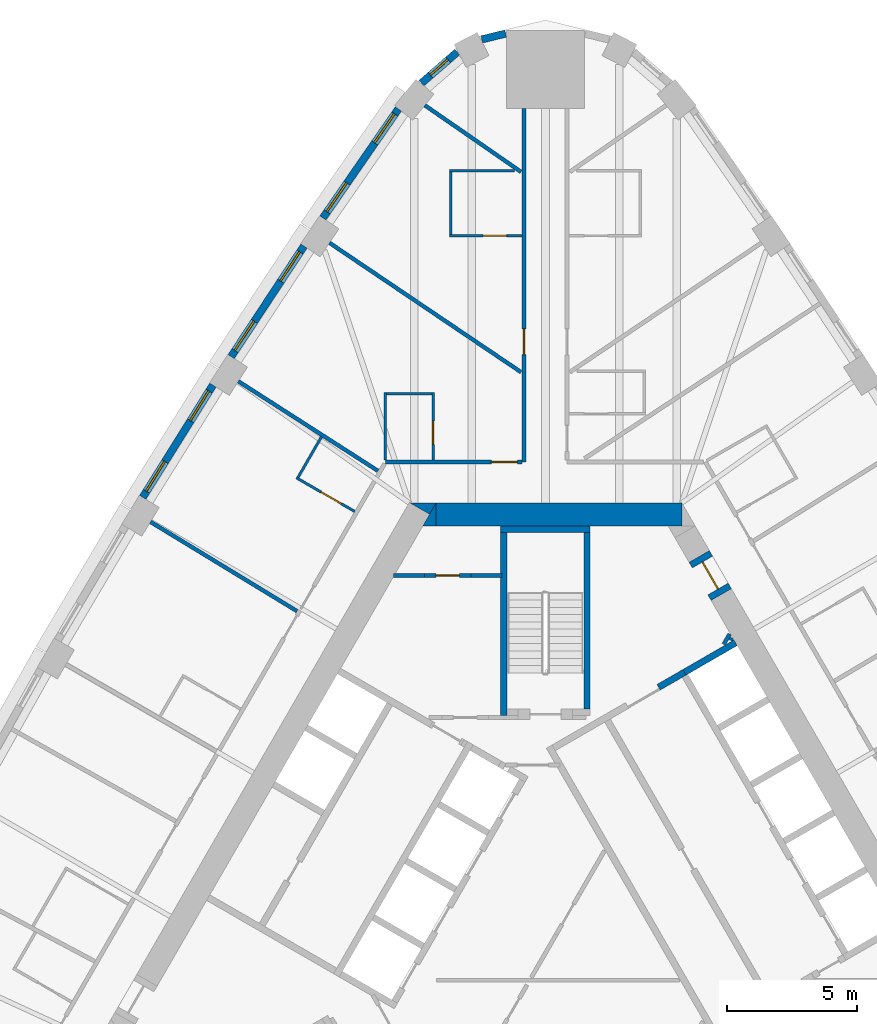
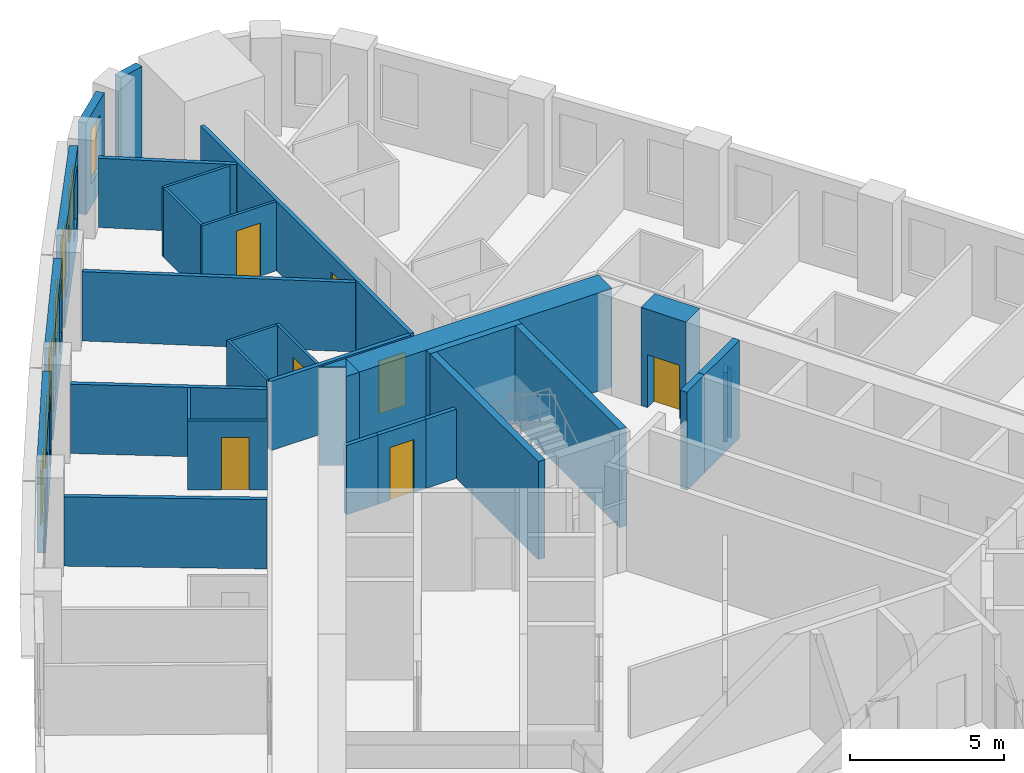
# One storey, part 10 of 13: 33 walls, 7 doors, 7 windows, 14 openings.
"""IFC4 building model written with IfcOpenShell, lengths in metres."""

from ifc_helpers import new_model, si_unit, direction, frame, frame_2d, origin, place, context, subcontext, project, spatial, polyline, rectangle, outline, extrude, material, layer, layer_set, type_object, element, fill, save


model = new_model("IFC4")

# Units and contexts
model_context = context("Model", 3, precision=1e-05, world=origin(), true_north=direction((0.0, 1.0)))
body_context = subcontext(model_context, "Body", "Model", "MODEL_VIEW")
ifc_project = project(units=[si_unit("LENGTHUNIT", "METRE"), si_unit("AREAUNIT", "SQUARE_METRE"), si_unit("VOLUMEUNIT", "CUBIC_METRE"), si_unit("PLANEANGLEUNIT", "RADIAN"), si_unit("MASSUNIT", "GRAM", prefix="KILO")], contexts=[model_context])

# Site, building, storey
site_placement = place(None, origin())
site = spatial("IfcSite", under=ifc_project, at=site_placement, CompositionType="ELEMENT")
building_placement = place(site_placement, origin())
building = spatial("IfcBuilding", under=site, at=building_placement, Name="Mestral Congress Tower", CompositionType="ELEMENT")
storey_placement = place(building_placement, frame((0.0, 0.0, 91.5)))
storey = spatial("IfcBuildingStorey", under=building, at=storey_placement, Name="L21", CompositionType="ELEMENT", Elevation=91.5)

# Walls
ifc_material_1 = material(Name="Fire-rated board partition")
ifc_layer_1 = layer(ifc_material_1, 0.14990234375)
ifc_layer_set_1 = layer_set([ifc_layer_1], Name="Fire-rated board partition")
wall_type_1 = type_object("IfcWallType", Name="Core partition 150", PredefinedType="PARTITIONING", material=ifc_layer_set_1)
wall_1_placement = place(storey_placement, frame((-5.85107421875, 14.10205078125, 0.0), z_axis=(0.0, 0.0, 1.0), x_axis=(1.0, 0.0, 0.0)))
element("IfcWall", 1, at=wall_1_placement, inside=storey, type_object=wall_type_1, Name="L21 core wall", PredefinedType="PARTITIONING", context=body_context, shape_type="SweptSolid", body=[
    extrude(rectangle(XDim=1.18017578125, YDim=0.14990234375, at=frame_2d((0.590087890625, 0.0))), origin(), (0.0, 0.0, 1.0), 2.75),
])
wall_2_placement = place(storey_placement, frame((-2.87060546875, 14.10205078125, 0.0), z_axis=(0.0, 0.0, 1.0), x_axis=(1.0, 0.0, 0.0)))
element("IfcWall", 2, at=wall_2_placement, inside=storey, type_object=wall_type_1, Name="L21 core wall", PredefinedType="PARTITIONING", context=body_context, shape_type="SweptSolid", body=[
    extrude(rectangle(XDim=1.195556640625, YDim=0.14990234375, at=frame_2d((0.59765625, 0.0))), origin(), (0.0, 0.0, 1.0), 2.75),
])
wall_3_placement = place(storey_placement, frame((6.87158203125, 11.44970703125, 0.0), z_axis=(0.0, 0.0, 1.0), x_axis=(0.499846793097, 0.866113839764, 0.0)))
element("IfcWall", 3, at=wall_3_placement, inside=storey, type_object=wall_type_1, Name="L21 core wall", PredefinedType="PARTITIONING", context=body_context, shape_type="SweptSolid", body=[
    extrude(rectangle(XDim=0.453369140625, YDim=0.14990234375, at=frame_2d((0.2265625, 0.0))), origin(), (0.0, 0.0, 1.0), 2.75),
])
wall_4_placement = place(storey_placement, frame((7.13134765625, 11.599609375, 0.0), z_axis=(0.0, 0.0, 1.0), x_axis=(0.498600033135, 0.866832167699, 0.0)))
element("IfcWall", 4, at=wall_4_placement, inside=storey, type_object=wall_type_1, Name="L21 core wall", PredefinedType="PARTITIONING", context=body_context, shape_type="SweptSolid", body=[
    extrude(rectangle(XDim=0.106689453125, YDim=0.14990234375, at=frame_2d((0.05322265625, 0.0))), origin(), (0.0, 0.0, 1.0), 2.75),
])

# Wall, opening, door
wall_5_placement = place(storey_placement, frame((-2.870849609375, 14.10205078125, 0.0), z_axis=(0.0, 0.0, 1.0), x_axis=(-1.0, 0.0, 0.0)))
wall_5 = element("IfcWall", 5, at=wall_5_placement, inside=storey, type_object=wall_type_1, Name="L21 door wall", PredefinedType="PARTITIONING", context=body_context, shape_type="SweptSolid", body=[
    extrude(rectangle(XDim=1.800048828125, YDim=0.14990234375, at=frame_2d((0.89990234375, 0.0))), origin(), (0.0, 0.0, 1.0), 2.75),
])
opening_1_placement = place(wall_5_placement, frame((0.449951171875, 0.0, 0.0)))
opening_1 = element("IfcOpeningElement", 6, at=opening_1_placement, cuts=wall_5, Name="Opening SD-WS2", PredefinedType="OPENING", context=body_context, shape_type="SweptSolid", body=[
    extrude(rectangle(XDim=0.89990234375, YDim=2.10009765625, at=frame_2d((0.449951171875, 1.050048828125))), frame((0.0, 0.0849609375, 0.0), z_axis=(0.0, -1.0, 0.0), x_axis=(1.0, 0.0, 0.0)), (0.0, 0.0, 1.0), 0.169921875),
])
ifc_material_2 = material(Name="Fire-rated steel door set", Category="steel")
door_type_1 = type_object("IfcDoorType", Name="Core door SR 900x2100", OperationType="SINGLE_SWING_LEFT", PredefinedType="DOOR", material=ifc_material_2)
door_1_placement = place(opening_1_placement, origin())
door_1 = element("IfcDoor", 7, at=door_1_placement, inside=storey, type_object=door_type_1, Name="Door SD-WS2", OperationType="SINGLE_SWING_LEFT", OverallHeight=2.10009765625, OverallWidth=0.89990234375, PredefinedType="DOOR", context=body_context, shape_type="SweptSolid", body=[
    extrude(rectangle(XDim=0.89990234375, YDim=2.10009765625, at=frame_2d((0.449951171875, 1.050048828125))), frame((0.0, 0.02490234375, 0.0), z_axis=(0.0, -1.0, 0.0), x_axis=(1.0, 0.0, 0.0)), (0.0, 0.0, 1.0), 0.050048828125),
])
fill(opening_1, door_1)

# Walls
ifc_material_3 = material(Name="Concrete C60/75", Category="concrete")
ifc_layer_2 = layer(ifc_material_3, 0.89990234375)
ifc_layer_set_2 = layer_set([ifc_layer_2], Name="Concrete C60/75")
wall_type_2 = type_object("IfcWallType", Name="Core wall RC 900", PredefinedType="SOLIDWALL", material=ifc_layer_set_2)
placement = place(storey_placement, origin())
element("IfcWall", 8, at=placement, inside=storey, type_object=wall_type_2, Name="L21 core wall", PredefinedType="SOLIDWALL", context=body_context, shape_type="SweptSolid", body=[
    extrude(outline(polyline([(-4.214599609375, 16.89990234375), (-4.46875, 16.460205078125), (-5.230712890625, 16.89990234375), (-4.214599609375, 16.89990234375)])), origin(), (0.0, 0.0, 1.0), 3.89990234375),
])
wall_7_placement = place(storey_placement, frame((-4.224365234375, 16.449951171875, 0.0), z_axis=(0.0, 0.0, 1.0), x_axis=(1.0, 0.0, 0.0)))
element("IfcWall", 9, at=wall_7_placement, inside=storey, type_object=wall_type_2, Name="L21 core wall", PredefinedType="SOLIDWALL", context=body_context, shape_type="SweptSolid", body=[
    extrude(rectangle(XDim=9.48779296875, YDim=0.89990234375, at=frame_2d((4.743896484375, 0.0))), origin(), (0.0, 0.0, 1.0), 3.89990234375),
])
element("IfcWall", 10, at=placement, inside=storey, type_object=wall_type_2, Name="L21 core wall", PredefinedType="SOLIDWALL", context=body_context, shape_type="SweptSolid", body=[
    extrude(outline(polyline([(-4.734375, 16.0), (-4.226318359375, 16.8798828125), (-4.226318359375, 16.0), (-4.734375, 16.0)])), origin(), (0.0, 0.0, 1.0), 3.89990234375),
])

# Wall, opening, door
wall_9_placement = place(storey_placement, frame((5.92578125, 14.836181640625, 0.0), z_axis=(0.0, 0.0, 1.0), x_axis=(0.500062241894, -0.865989465428, 0.0)))
wall_9 = element("IfcWall", 11, at=wall_9_placement, inside=storey, type_object=wall_type_2, Name="L21 door wall", PredefinedType="SOLIDWALL", context=body_context, shape_type="SweptSolid", body=[
    extrude(rectangle(XDim=1.699951171875, YDim=0.89990234375, at=frame_2d((0.85009765625, 0.0))), origin(), (0.0, 0.0, 1.0), 3.89990234375),
])
opening_2_placement = place(wall_9_placement, frame((0.25, 0.0, 0.0)))
opening_2 = element("IfcOpeningElement", 12, at=opening_2_placement, cuts=wall_9, Name="Opening XD2", PredefinedType="OPENING", context=body_context, shape_type="SweptSolid", body=[
    extrude(rectangle(XDim=1.199951171875, YDim=2.10009765625, at=frame_2d((0.60009765625, 1.050048828125))), frame((0.0, 0.4599609375, 0.0), z_axis=(0.0, -1.0, 0.0), x_axis=(1.0, 0.0, 0.0)), (0.0, 0.0, 1.0), 0.919921875),
])
door_type_2 = type_object("IfcDoorType", Name="Core door XD 1200x2100", OperationType="SINGLE_SWING_LEFT", PredefinedType="DOOR", material=ifc_material_2)
door_2_placement = place(opening_2_placement, origin())
door_2 = element("IfcDoor", 13, at=door_2_placement, inside=storey, type_object=door_type_2, Name="Door XD2", OperationType="SINGLE_SWING_LEFT", OverallHeight=2.10009765625, OverallWidth=1.199951171875, PredefinedType="DOOR", context=body_context, shape_type="SweptSolid", body=[
    extrude(rectangle(XDim=1.199951171875, YDim=2.10009765625, at=frame_2d((0.60009765625, 1.050048828125))), frame((0.0, 0.02490234375, 0.0), z_axis=(0.0, -1.0, 0.0), x_axis=(1.0, 0.0, 0.0)), (0.0, 0.0, 1.0), 0.050048828125),
])
fill(opening_2, door_2)

# Wall
ifc_material_4 = material(Name="Precast concrete C40/50 with limestone facing", Category="masonry")
ifc_layer_3 = layer(ifc_material_4, 0.2900390625)
ifc_layer_set_3 = layer_set([ifc_layer_3], Name="Precast concrete C40/50 with limestone facing")
wall_type_3 = type_object("IfcWallType", Name="Facade stone wall 290", PredefinedType="SOLIDWALL", material=ifc_layer_set_3)
wall_10_placement = place(storey_placement, frame((-1.53515625, 34.9892578125, 0.0), z_axis=(0.0, 0.0, 1.0), x_axis=(-0.971713991574, -0.236160789674, 0.0)))
element("IfcWall", 14, at=wall_10_placement, inside=storey, type_object=wall_type_3, Name="Facade wall K1-2", PredefinedType="SOLIDWALL", context=body_context, shape_type="SweptSolid", body=[
    extrude(rectangle(XDim=0.947021484375, YDim=0.2900390625, at=frame_2d((0.4736328125, 0.0))), origin(), (0.0, 0.0, 1.0), 3.64990234375),
])

# Wall, opening, window
wall_11_placement = place(storey_placement, frame((-3.404541015625, 34.275390625, 0.0), z_axis=(0.0, 0.0, 1.0), x_axis=(-0.754882764627, -0.655859749999, 0.0)))
wall_11 = element("IfcWall", 15, at=wall_11_placement, inside=storey, type_object=wall_type_3, Name="Facade wall K1-3", PredefinedType="SOLIDWALL", context=body_context, shape_type="SweptSolid", body=[
    extrude(rectangle(XDim=1.819580078125, YDim=0.2900390625, at=frame_2d((0.90966796875, 0.0))), origin(), (0.0, 0.0, 1.0), 3.64990234375),
])
opening_3_placement = place(wall_11_placement, frame((0.459716796875, 0.0, 0.89990234375)))
opening_3 = element("IfcOpeningElement", 16, at=opening_3_placement, cuts=wall_11, Name="Opening W3", PredefinedType="OPENING", context=body_context, shape_type="SweptSolid", body=[
    extrude(rectangle(XDim=0.89990234375, YDim=2.14990234375, at=frame_2d((0.449951171875, 1.074951171875))), frame((0.0, 0.155029296875, 0.0), z_axis=(0.0, -1.0, 0.0), x_axis=(1.0, 0.0, 0.0)), (0.0, 0.0, 1.0), 0.31005859375),
])
ifc_material_5 = material(Name="Clear low-emissivity double glazing", Category="glass")
window_type_1 = type_object("IfcWindowType", Name="Facade punched window 900 x 2150 sill 900", PartitioningType="SINGLE_PANEL", PredefinedType="WINDOW", material=ifc_material_5)
window_1_placement = place(opening_3_placement, origin())
window_1 = element("IfcWindow", 17, at=window_1_placement, inside=storey, type_object=window_type_1, Name="Window K1-3", OverallHeight=2.14990234375, OverallWidth=0.89990234375, PartitioningType="SINGLE_PANEL", PredefinedType="WINDOW", context=body_context, shape_type="SweptSolid", body=[
    extrude(rectangle(XDim=0.89990234375, YDim=2.14990234375, at=frame_2d((0.449951171875, 1.074951171875))), frame((0.0, 0.01513671875, 0.0), z_axis=(0.0, -1.0, 0.0), x_axis=(1.0, 0.0, 0.0)), (0.0, 0.0, 1.0), 0.06005859375),
])
fill(opening_3, window_1)

# Wall, openings, windows
wall_12_placement = place(storey_placement, frame((-5.67333984375, 32.0810546875, 0.0), z_axis=(0.0, 0.0, 1.0), x_axis=(-0.569113019126, -0.822259309136, 0.0)))
wall_12 = element("IfcWall", 18, at=wall_12_placement, inside=storey, type_object=wall_type_3, Name="Facade wall F2-00", PredefinedType="SOLIDWALL", context=body_context, shape_type="SweptSolid", body=[
    extrude(rectangle(XDim=5.106689453125, YDim=0.2900390625, at=frame_2d((2.55322265625, 0.0))), origin(), (0.0, 0.0, 1.0), 3.64990234375),
])
opening_4_placement = place(wall_12_placement, frame((0.240478515625, 0.0, 0.89990234375)))
opening_4 = element("IfcOpeningElement", 19, at=opening_4_placement, cuts=wall_12, Name="Opening W2", PredefinedType="OPENING", context=body_context, shape_type="SweptSolid", body=[
    extrude(rectangle(XDim=1.35009765625, YDim=2.14990234375, at=frame_2d((0.675048828125, 1.074951171875))), frame((0.0, 0.155029296875, 0.0), z_axis=(0.0, -1.0, 0.0), x_axis=(1.0, 0.0, 0.0)), (0.0, 0.0, 1.0), 0.31005859375),
])
opening_5_placement = place(wall_12_placement, frame((3.47119140625, 0.0, 0.89990234375)))
opening_5 = element("IfcOpeningElement", 20, at=opening_5_placement, cuts=wall_12, Name="Opening W2", PredefinedType="OPENING", context=body_context, shape_type="SweptSolid", body=[
    extrude(rectangle(XDim=1.35009765625, YDim=2.14990234375, at=frame_2d((0.675048828125, 1.074951171875))), frame((0.0, 0.155029296875, 0.0), z_axis=(0.0, -1.0, 0.0), x_axis=(1.0, 0.0, 0.0)), (0.0, 0.0, 1.0), 0.31005859375),
])
window_type_2 = type_object("IfcWindowType", Name="Facade punched window 1350 x 2150 sill 900", PartitioningType="DOUBLE_PANEL_VERTICAL", PredefinedType="WINDOW", material=ifc_material_5)
window_2_placement = place(opening_4_placement, origin())
window_2 = element("IfcWindow", 21, at=window_2_placement, inside=storey, type_object=window_type_2, Name="Window F2-00a", OverallHeight=2.14990234375, OverallWidth=1.35009765625, PartitioningType="DOUBLE_PANEL_VERTICAL", PredefinedType="WINDOW", context=body_context, shape_type="SweptSolid", body=[
    extrude(rectangle(XDim=1.35009765625, YDim=2.14990234375, at=frame_2d((0.675048828125, 1.074951171875))), frame((0.0, 0.01513671875, 0.0), z_axis=(0.0, -1.0, 0.0), x_axis=(1.0, 0.0, 0.0)), (0.0, 0.0, 1.0), 0.06005859375),
])
fill(opening_4, window_2)
window_3_placement = place(opening_5_placement, origin())
window_3 = element("IfcWindow", 22, at=window_3_placement, inside=storey, type_object=window_type_2, Name="Window F2-00b", OverallHeight=2.14990234375, OverallWidth=1.35009765625, PartitioningType="DOUBLE_PANEL_VERTICAL", PredefinedType="WINDOW", context=body_context, shape_type="SweptSolid", body=[
    extrude(rectangle(XDim=1.35009765625, YDim=2.14990234375, at=frame_2d((0.675048828125, 1.074951171875))), frame((0.0, 0.01513671875, 0.0), z_axis=(0.0, -1.0, 0.0), x_axis=(1.0, 0.0, 0.0)), (0.0, 0.0, 1.0), 0.06005859375),
])
fill(opening_5, window_3)

wall_13_placement = place(storey_placement, frame((-9.310791015625, 26.799072265625, 0.0), z_axis=(0.0, 0.0, 1.0), x_axis=(-0.549741341923, -0.835334937005, 0.0)))
wall_13 = element("IfcWall", 23, at=wall_13_placement, inside=storey, type_object=wall_type_3, Name="Facade wall F2-01", PredefinedType="SOLIDWALL", context=body_context, shape_type="SweptSolid", body=[
    extrude(rectangle(XDim=5.10009765625, YDim=0.2900390625, at=frame_2d((2.550048828125, 0.0))), origin(), (0.0, 0.0, 1.0), 3.64990234375),
])
opening_6_placement = place(wall_13_placement, frame((0.272705078125, 0.0, 0.89990234375)))
opening_6 = element("IfcOpeningElement", 24, at=opening_6_placement, cuts=wall_13, Name="Opening W2", PredefinedType="OPENING", context=body_context, shape_type="SweptSolid", body=[
    extrude(rectangle(XDim=1.35009765625, YDim=2.14990234375, at=frame_2d((0.675048828125, 1.074951171875))), frame((0.0, 0.155029296875, 0.0), z_axis=(0.0, -1.0, 0.0), x_axis=(1.0, 0.0, 0.0)), (0.0, 0.0, 1.0), 0.31005859375),
])
opening_7_placement = place(wall_13_placement, frame((3.477783203125, 0.0, 0.89990234375)))
opening_7 = element("IfcOpeningElement", 25, at=opening_7_placement, cuts=wall_13, Name="Opening W2", PredefinedType="OPENING", context=body_context, shape_type="SweptSolid", body=[
    extrude(rectangle(XDim=1.35009765625, YDim=2.14990234375, at=frame_2d((0.675048828125, 1.074951171875))), frame((0.0, 0.155029296875, 0.0), z_axis=(0.0, -1.0, 0.0), x_axis=(1.0, 0.0, 0.0)), (0.0, 0.0, 1.0), 0.31005859375),
])
window_4_placement = place(opening_6_placement, origin())
window_4 = element("IfcWindow", 26, at=window_4_placement, inside=storey, type_object=window_type_2, Name="Window F2-01a", OverallHeight=2.14990234375, OverallWidth=1.35009765625, PartitioningType="DOUBLE_PANEL_VERTICAL", PredefinedType="WINDOW", context=body_context, shape_type="SweptSolid", body=[
    extrude(rectangle(XDim=1.35009765625, YDim=2.14990234375, at=frame_2d((0.675048828125, 1.074951171875))), frame((0.0, 0.01513671875, 0.0), z_axis=(0.0, -1.0, 0.0), x_axis=(1.0, 0.0, 0.0)), (0.0, 0.0, 1.0), 0.06005859375),
])
fill(opening_6, window_4)
window_5_placement = place(opening_7_placement, origin())
window_5 = element("IfcWindow", 27, at=window_5_placement, inside=storey, type_object=window_type_2, Name="Window F2-01b", OverallHeight=2.14990234375, OverallWidth=1.35009765625, PartitioningType="DOUBLE_PANEL_VERTICAL", PredefinedType="WINDOW", context=body_context, shape_type="SweptSolid", body=[
    extrude(rectangle(XDim=1.35009765625, YDim=2.14990234375, at=frame_2d((0.675048828125, 1.074951171875))), frame((0.0, 0.01513671875, 0.0), z_axis=(0.0, -1.0, 0.0), x_axis=(1.0, 0.0, 0.0)), (0.0, 0.0, 1.0), 0.06005859375),
])
fill(opening_7, window_5)

wall_14_placement = place(storey_placement, frame((-12.820068359375, 21.43896484375, 0.0), z_axis=(0.0, 0.0, 1.0), x_axis=(-0.530072082134, -0.847952585787, 0.0)))
wall_14 = element("IfcWall", 28, at=wall_14_placement, inside=storey, type_object=wall_type_3, Name="Facade wall F2-02", PredefinedType="SOLIDWALL", context=body_context, shape_type="SweptSolid", body=[
    extrude(rectangle(XDim=5.100341796875, YDim=0.2900390625, at=frame_2d((2.55029296875, 0.0))), origin(), (0.0, 0.0, 1.0), 3.64990234375),
])
opening_8_placement = place(wall_14_placement, frame((0.272705078125, 0.0, 0.89990234375)))
opening_8 = element("IfcOpeningElement", 29, at=opening_8_placement, cuts=wall_14, Name="Opening W2", PredefinedType="OPENING", context=body_context, shape_type="SweptSolid", body=[
    extrude(rectangle(XDim=1.35009765625, YDim=2.14990234375, at=frame_2d((0.675048828125, 1.074951171875))), frame((0.0, 0.155029296875, 0.0), z_axis=(0.0, -1.0, 0.0), x_axis=(1.0, 0.0, 0.0)), (0.0, 0.0, 1.0), 0.31005859375),
])
opening_9_placement = place(wall_14_placement, frame((3.477783203125, 0.0, 0.89990234375)))
opening_9 = element("IfcOpeningElement", 30, at=opening_9_placement, cuts=wall_14, Name="Opening W2", PredefinedType="OPENING", context=body_context, shape_type="SweptSolid", body=[
    extrude(rectangle(XDim=1.35009765625, YDim=2.14990234375, at=frame_2d((0.675048828125, 1.074951171875))), frame((0.0, 0.155029296875, 0.0), z_axis=(0.0, -1.0, 0.0), x_axis=(1.0, 0.0, 0.0)), (0.0, 0.0, 1.0), 0.31005859375),
])
window_6_placement = place(opening_8_placement, origin())
window_6 = element("IfcWindow", 31, at=window_6_placement, inside=storey, type_object=window_type_2, Name="Window F2-02a", OverallHeight=2.14990234375, OverallWidth=1.35009765625, PartitioningType="DOUBLE_PANEL_VERTICAL", PredefinedType="WINDOW", context=body_context, shape_type="SweptSolid", body=[
    extrude(rectangle(XDim=1.35009765625, YDim=2.14990234375, at=frame_2d((0.675048828125, 1.074951171875))), frame((0.0, 0.01513671875, 0.0), z_axis=(0.0, -1.0, 0.0), x_axis=(1.0, 0.0, 0.0)), (0.0, 0.0, 1.0), 0.06005859375),
])
fill(opening_8, window_6)
window_7_placement = place(opening_9_placement, origin())
window_7 = element("IfcWindow", 32, at=window_7_placement, inside=storey, type_object=window_type_2, Name="Window F2-02b", OverallHeight=2.14990234375, OverallWidth=1.35009765625, PartitioningType="DOUBLE_PANEL_VERTICAL", PredefinedType="WINDOW", context=body_context, shape_type="SweptSolid", body=[
    extrude(rectangle(XDim=1.35009765625, YDim=2.14990234375, at=frame_2d((0.675048828125, 1.074951171875))), frame((0.0, 0.01513671875, 0.0), z_axis=(0.0, -1.0, 0.0), x_axis=(1.0, 0.0, 0.0)), (0.0, 0.0, 1.0), 0.06005859375),
])
fill(opening_9, window_7)

# Wall, opening, door
ifc_material_6 = material(Name="Gypsum board partition on metal studs with mineral wool", Category="composite")
ifc_layer_4 = layer(ifc_material_6, 0.10009765625)
ifc_layer_set_4 = layer_set([ifc_layer_4], Name="Gypsum board partition on metal studs with mineral wool")
wall_type_4 = type_object("IfcWallType", Name="Hotel partition wall 100", PredefinedType="PARTITIONING", material=ifc_layer_set_4)
wall_15_placement = place(storey_placement, frame((-3.699951171875, 27.197998046875, 0.0), z_axis=(0.0, 0.0, 1.0), x_axis=(1.0, 0.0, 0.0)))
wall_15 = element("IfcWall", 33, at=wall_15_placement, inside=storey, type_object=wall_type_4, Name="L21-h-pod19a", PredefinedType="PARTITIONING", context=body_context, shape_type="SweptSolid", body=[
    extrude(rectangle(XDim=2.800048828125, YDim=0.10009765625, at=frame_2d((1.39990234375, 0.0))), origin(), (0.0, 0.0, 1.0), 2.75),
])
opening_10_placement = place(wall_15_placement, frame((1.300048828125, 0.0, 0.0)))
opening_10 = element("IfcOpeningElement", 34, at=opening_10_placement, cuts=wall_15, Name="Opening H06-036", PredefinedType="OPENING", context=body_context, shape_type="SweptSolid", body=[
    extrude(rectangle(XDim=0.89990234375, YDim=2.10009765625, at=frame_2d((0.449951171875, 1.050048828125))), frame((0.0, 0.06005859375, 0.0), z_axis=(0.0, -1.0, 0.0), x_axis=(1.0, 0.0, 0.0)), (0.0, 0.0, 1.0), 0.1201171875),
])
ifc_material_7 = material(Name="Timber veneer door leaf in timber frame", Category="wood")
door_type_3 = type_object("IfcDoorType", Name="Bathroom door 900", OperationType="SINGLE_SWING_LEFT", PredefinedType="DOOR", material=ifc_material_7)
door_3_placement = place(opening_10_placement, origin())
door_3 = element("IfcDoor", 35, at=door_3_placement, inside=storey, type_object=door_type_3, Name="L21-h-d036", OperationType="SINGLE_SWING_LEFT", OverallHeight=2.10009765625, OverallWidth=0.89990234375, PredefinedType="DOOR", context=body_context, shape_type="SweptSolid", body=[
    extrude(rectangle(XDim=0.89990234375, YDim=2.10009765625, at=frame_2d((0.449951171875, 1.050048828125))), frame((0.0, 0.02490234375, 0.0), z_axis=(0.0, -1.0, 0.0), x_axis=(1.0, 0.0, 0.0)), (0.0, 0.0, 1.0), 0.050048828125),
])
fill(opening_10, door_3)

# Walls
wall_16_placement = place(storey_placement, frame((-3.64990234375, 27.248046875, 0.0), z_axis=(0.0, 0.0, 1.0), x_axis=(0.0, 1.0, 0.0)))
element("IfcWall", 36, at=wall_16_placement, inside=storey, type_object=wall_type_4, Name="L21-h-pod19b", PredefinedType="PARTITIONING", context=body_context, shape_type="SweptSolid", body=[
    extrude(rectangle(XDim=2.39990234375, YDim=0.10009765625, at=frame_2d((1.199951171875, 0.0))), origin(), (0.0, 0.0, 1.0), 2.75),
])
wall_17_placement = place(storey_placement, frame((-1.199951171875, 29.697998046875, 0.0), z_axis=(0.0, 0.0, 1.0), x_axis=(-1.0, 0.0, 0.0)))
element("IfcWall", 37, at=wall_17_placement, inside=storey, type_object=wall_type_4, Name="L21-h-pod19c", PredefinedType="PARTITIONING", context=body_context, shape_type="SweptSolid", body=[
    extrude(rectangle(XDim=2.5, YDim=0.10009765625, at=frame_2d((1.25, 0.0))), origin(), (0.0, 0.0, 1.0), 2.75),
])

# Wall, opening, door
wall_18_placement = place(storey_placement, frame((-4.333251953125, 18.550048828125, 0.0), z_axis=(0.0, 0.0, 1.0), x_axis=(0.0, 1.0, 0.0)))
wall_18 = element("IfcWall", 38, at=wall_18_placement, inside=storey, type_object=wall_type_4, Name="L21-h-pod20a", PredefinedType="PARTITIONING", context=body_context, shape_type="SweptSolid", body=[
    extrude(rectangle(XDim=2.599853515625, YDim=0.10009765625, at=frame_2d((1.2998046875, 0.0))), origin(), (0.0, 0.0, 1.0), 2.75),
])
opening_11_placement = place(wall_18_placement, frame((0.60009765625, 0.0, 0.0)))
opening_11 = element("IfcOpeningElement", 39, at=opening_11_placement, cuts=wall_18, Name="Opening H06-038", PredefinedType="OPENING", context=body_context, shape_type="SweptSolid", body=[
    extrude(rectangle(XDim=0.89990234375, YDim=2.10009765625, at=frame_2d((0.449951171875, 1.050048828125))), frame((0.0, 0.06005859375, 0.0), z_axis=(0.0, -1.0, 0.0), x_axis=(1.0, 0.0, 0.0)), (0.0, 0.0, 1.0), 0.1201171875),
])
door_4_placement = place(opening_11_placement, origin())
door_4 = element("IfcDoor", 40, at=door_4_placement, inside=storey, type_object=door_type_3, Name="L21-h-d038", OperationType="SINGLE_SWING_LEFT", OverallHeight=2.10009765625, OverallWidth=0.89990234375, PredefinedType="DOOR", context=body_context, shape_type="SweptSolid", body=[
    extrude(rectangle(XDim=0.89990234375, YDim=2.10009765625, at=frame_2d((0.449951171875, 1.050048828125))), frame((0.0, 0.02490234375, 0.0), z_axis=(0.0, -1.0, 0.0), x_axis=(1.0, 0.0, 0.0)), (0.0, 0.0, 1.0), 0.050048828125),
])
fill(opening_11, door_4)

# Walls
wall_19_placement = place(storey_placement, frame((-4.38330078125, 21.10009765625, 0.0), z_axis=(0.0, 0.0, 1.0), x_axis=(-1.0, 0.0, 0.0)))
element("IfcWall", 41, at=wall_19_placement, inside=storey, type_object=wall_type_4, Name="L21-h-pod20b", PredefinedType="PARTITIONING", context=body_context, shape_type="SweptSolid", body=[
    extrude(rectangle(XDim=1.75, YDim=0.10009765625, at=frame_2d((0.875, 0.0))), origin(), (0.0, 0.0, 1.0), 2.75),
])
wall_20_placement = place(storey_placement, frame((-6.18310546875, 18.550048828125, 0.0), z_axis=(0.0, 0.0, 1.0), x_axis=(0.0, 1.0, 0.0)))
element("IfcWall", 42, at=wall_20_placement, inside=storey, type_object=wall_type_4, Name="L21-h-pod20c", PredefinedType="PARTITIONING", context=body_context, shape_type="SweptSolid", body=[
    extrude(rectangle(XDim=2.599853515625, YDim=0.10009765625, at=frame_2d((1.2998046875, 0.0))), origin(), (0.0, 0.0, 1.0), 2.75),
])

# Wall, opening, door
wall_21_placement = place(storey_placement, frame((-9.602783203125, 17.86767578125, 0.0), z_axis=(0.0, 0.0, 1.0), x_axis=(0.866021400173, -0.500006934395, 0.0)))
wall_21 = element("IfcWall", 43, at=wall_21_placement, inside=storey, type_object=wall_type_4, Name="L21-h-pod21a", PredefinedType="PARTITIONING", context=body_context, shape_type="SweptSolid", body=[
    extrude(rectangle(XDim=2.60009765625, YDim=0.10009765625, at=frame_2d((1.300048828125, 0.0))), origin(), (0.0, 0.0, 1.0), 2.75),
])
opening_12_placement = place(wall_21_placement, frame((1.10009765625, 0.0, 0.0)))
opening_12 = element("IfcOpeningElement", 44, at=opening_12_placement, cuts=wall_21, Name="Opening H06-040", PredefinedType="OPENING", context=body_context, shape_type="SweptSolid", body=[
    extrude(rectangle(XDim=0.89990234375, YDim=2.10009765625, at=frame_2d((0.449951171875, 1.050048828125))), frame((0.0, 0.06005859375, 0.0), z_axis=(0.0, -1.0, 0.0), x_axis=(1.0, 0.0, 0.0)), (0.0, 0.0, 1.0), 0.1201171875),
])
door_5_placement = place(opening_12_placement, origin())
door_5 = element("IfcDoor", 45, at=door_5_placement, inside=storey, type_object=door_type_3, Name="L21-h-d040", OperationType="SINGLE_SWING_RIGHT", OverallHeight=2.10009765625, OverallWidth=0.89990234375, PredefinedType="DOOR", context=body_context, shape_type="SweptSolid", body=[
    extrude(rectangle(XDim=0.89990234375, YDim=2.10009765625, at=frame_2d((0.449951171875, 1.050048828125))), frame((0.0, 0.02490234375, 0.0), z_axis=(0.0, -1.0, 0.0), x_axis=(1.0, 0.0, 0.0)), (0.0, 0.0, 1.0), 0.050048828125),
])
fill(opening_12, door_5)

# Wall
wall_22_placement = place(storey_placement, frame((-9.534423828125, 17.885986328125, 0.0), z_axis=(0.0, 0.0, 1.0), x_axis=(0.500041240653, 0.866001592173, 0.0)))
element("IfcWall", 46, at=wall_22_placement, inside=storey, type_object=wall_type_4, Name="L21-h-pod21b", PredefinedType="PARTITIONING", context=body_context, shape_type="SweptSolid", body=[
    extrude(rectangle(XDim=1.789794921875, YDim=0.10009765625, at=frame_2d((0.89501953125, 0.0))), origin(), (0.0, 0.0, 1.0), 2.75),
])

# Wall, opening, door
ifc_layer_5 = layer(ifc_material_6, 0.14990234375)
ifc_layer_set_5 = layer_set([ifc_layer_5], Name="Gypsum board partition on metal studs with mineral wool")
wall_type_5 = type_object("IfcWallType", Name="Hotel partition wall 150", PredefinedType="PARTITIONING", material=ifc_layer_set_5)
wall_23_placement = place(storey_placement, frame((-0.824951171875, 18.47509765625, 0.0), z_axis=(0.0, 0.0, 1.0), x_axis=(0.0, 1.0, 0.0)))
wall_23 = element("IfcWall", 47, at=wall_23_placement, inside=storey, type_object=wall_type_5, Name="L21-h-cw06", PredefinedType="PARTITIONING", context=body_context, shape_type="SweptSolid", body=[
    extrude(rectangle(XDim=13.623291015625, YDim=0.14990234375, at=frame_2d((6.8115234375, 0.0))), origin(), (0.0, 0.0, 1.0), 2.75),
])
opening_13_placement = place(wall_23_placement, frame((4.13525390625, 0.0, 0.0)))
opening_13 = element("IfcOpeningElement", 48, at=opening_13_placement, cuts=wall_23, Name="Opening H06-035", PredefinedType="OPENING", context=body_context, shape_type="SweptSolid", body=[
    extrude(rectangle(XDim=1.0, YDim=2.10009765625, at=frame_2d((0.5, 1.050048828125))), frame((0.0, 0.0849609375, 0.0), z_axis=(0.0, -1.0, 0.0), x_axis=(1.0, 0.0, 0.0)), (0.0, 0.0, 1.0), 0.169921875),
])
ifc_material_8 = material(Name="Timber veneer door leaf in metal frame", Category="wood")
door_type_4 = type_object("IfcDoorType", Name="Guest room entrance door 1000", OperationType="SINGLE_SWING_LEFT", PredefinedType="DOOR", material=ifc_material_8)
door_6_placement = place(opening_13_placement, origin())
door_6 = element("IfcDoor", 49, at=door_6_placement, inside=storey, type_object=door_type_4, Name="L21-h-d035", OperationType="SINGLE_SWING_LEFT", OverallHeight=2.10009765625, OverallWidth=1.0, PredefinedType="DOOR", context=body_context, shape_type="SweptSolid", body=[
    extrude(rectangle(XDim=1.0, YDim=2.10009765625, at=frame_2d((0.5, 1.050048828125))), frame((0.0, 0.02490234375, 0.0), z_axis=(0.0, -1.0, 0.0), x_axis=(1.0, 0.0, 0.0)), (0.0, 0.0, 1.0), 0.050048828125),
])
fill(opening_13, door_6)

wall_24_placement = place(storey_placement, frame((-6.1630859375, 18.47509765625, 0.0), z_axis=(0.0, 0.0, 1.0), x_axis=(1.0, 0.0, 0.0)))
wall_24 = element("IfcWall", 50, at=wall_24_placement, inside=storey, type_object=wall_type_5, Name="L21-h-cw07", PredefinedType="PARTITIONING", context=body_context, shape_type="SweptSolid", body=[
    extrude(rectangle(XDim=5.258056640625, YDim=0.14990234375, at=frame_2d((2.62890625, 0.0))), origin(), (0.0, 0.0, 1.0), 2.75),
])
opening_14_placement = place(wall_24_placement, frame((4.078125, 0.0, 0.0)))
opening_14 = element("IfcOpeningElement", 51, at=opening_14_placement, cuts=wall_24, Name="Opening H06-037", PredefinedType="OPENING", context=body_context, shape_type="SweptSolid", body=[
    extrude(rectangle(XDim=1.0, YDim=2.10009765625, at=frame_2d((0.5, 1.050048828125))), frame((0.0, 0.0849609375, 0.0), z_axis=(0.0, -1.0, 0.0), x_axis=(1.0, 0.0, 0.0)), (0.0, 0.0, 1.0), 0.169921875),
])
door_7_placement = place(opening_14_placement, origin())
door_7 = element("IfcDoor", 52, at=door_7_placement, inside=storey, type_object=door_type_4, Name="L21-h-d037", OperationType="SINGLE_SWING_RIGHT", OverallHeight=2.10009765625, OverallWidth=1.0, PredefinedType="DOOR", context=body_context, shape_type="SweptSolid", body=[
    extrude(rectangle(XDim=1.0, YDim=2.10009765625, at=frame_2d((0.5, 1.050048828125))), frame((0.0, 0.02490234375, 0.0), z_axis=(0.0, -1.0, 0.0), x_axis=(1.0, 0.0, 0.0)), (0.0, 0.0, 1.0), 0.050048828125),
])
fill(opening_14, door_7)

# Walls
wall_25_placement = place(storey_placement, frame((-15.22509765625, 16.16748046875, 0.0), z_axis=(0.0, 0.0, 1.0), x_axis=(0.854088713274, -0.520127359266, 0.0)))
element("IfcWall", 53, at=wall_25_placement, inside=storey, type_object=wall_type_5, Name="L21-h-pw10", PredefinedType="PARTITIONING", context=body_context, shape_type="SweptSolid", body=[
    extrude(rectangle(XDim=6.61083984375, YDim=0.14990234375, at=frame_2d((3.305419921875, 0.0))), origin(), (0.0, 0.0, 1.0), 2.75),
])
wall_26_placement = place(storey_placement, frame((-11.838134765625, 21.585205078125, 0.0), z_axis=(0.0, 0.0, 1.0), x_axis=(0.841699322813, -0.539946525108, 0.0)))
element("IfcWall", 54, at=wall_26_placement, inside=storey, type_object=wall_type_5, Name="L21-h-pw11", PredefinedType="PARTITIONING", context=body_context, shape_type="SweptSolid", body=[
    extrude(rectangle(XDim=6.3916015625, YDim=0.14990234375, at=frame_2d((3.19580078125, 0.0))), origin(), (0.0, 0.0, 1.0), 2.75),
])
wall_27_placement = place(storey_placement, frame((-8.32568359375, 26.922607421875, 0.0), z_axis=(0.0, 0.0, 1.0), x_axis=(0.828836601893, -0.5594907393, 0.0)))
element("IfcWall", 55, at=wall_27_placement, inside=storey, type_object=wall_type_5, Name="L21-h-pw13", PredefinedType="PARTITIONING", context=body_context, shape_type="SweptSolid", body=[
    extrude(rectangle(XDim=8.9091796875, YDim=0.14990234375, at=frame_2d((4.45458984375, 0.0))), origin(), (0.0, 0.0, 1.0), 2.75),
])
wall_28_placement = place(storey_placement, frame((-4.649169921875, 32.223388671875, 0.0), z_axis=(0.0, 0.0, 1.0), x_axis=(0.822262349475, -0.569108626394, 0.0)))
element("IfcWall", 56, at=wall_28_placement, inside=storey, type_object=wall_type_5, Name="L21-h-pw14", PredefinedType="PARTITIONING", context=body_context, shape_type="SweptSolid", body=[
    extrude(rectangle(XDim=4.509521484375, YDim=0.14990234375, at=frame_2d((2.2548828125, 0.0))), origin(), (0.0, 0.0, 1.0), 2.75),
])
ifc_layer_6 = layer(ifc_material_3, 0.25)
ifc_layer_set_6 = layer_set([ifc_layer_6], Name="Concrete C60/75")
wall_type_6 = type_object("IfcWallType", Name="Shaft wall RC 250", PredefinedType="SOLIDWALL", material=ifc_layer_set_6)
wall_29_placement = place(storey_placement, frame((4.3583984375, 9.791015625, 0.0), z_axis=(0.0, 0.0, 1.0), x_axis=(0.866079547155, 0.499906209203, 0.0)))
element("IfcWall", 57, at=wall_29_placement, inside=storey, type_object=wall_type_6, Name="L21 core wall", PredefinedType="SOLIDWALL", context=body_context, shape_type="SweptSolid", body=[
    extrude(rectangle(XDim=1.150146484375, YDim=0.25, at=frame_2d((0.5751953125, 0.0))), origin(), (0.0, 0.0, 1.0), 3.89990234375),
])
wall_30_placement = place(storey_placement, frame((5.356201171875, 10.366943359375, 0.0), z_axis=(0.0, 0.0, 1.0), x_axis=(0.865978535641, 0.50008116922, 0.0)))
element("IfcWall", 58, at=wall_30_placement, inside=storey, type_object=wall_type_6, Name="L21 core wall", PredefinedType="SOLIDWALL", context=body_context, shape_type="SweptSolid", body=[
    extrude(rectangle(XDim=2.27783203125, YDim=0.25, at=frame_2d((1.138916015625, 0.0))), origin(), (0.0, 0.0, 1.0), 3.89990234375),
])
ifc_layer_7 = layer(ifc_material_3, 0.25)
ifc_layer_set_7 = layer_set([ifc_layer_7], Name="Concrete C60/75")
wall_type_7 = type_object("IfcWallType", Name="Stair wall RC 250", PredefinedType="SOLIDWALL", material=ifc_layer_set_7)
wall_31_placement = place(storey_placement, frame((-1.72509765625, 15.875, 0.0), z_axis=(0.0, 0.0, 1.0), x_axis=(1.0, 0.0, 0.0)))
element("IfcWall", 59, at=wall_31_placement, inside=storey, type_object=wall_type_7, Name="L21 core wall", PredefinedType="SOLIDWALL", context=body_context, shape_type="SweptSolid", body=[
    extrude(rectangle(XDim=3.4501953125, YDim=0.25, at=frame_2d((1.72509765625, 0.0))), origin(), (0.0, 0.0, 1.0), 3.89990234375),
])
wall_32_placement = place(storey_placement, frame((1.60009765625, 8.949951171875, 0.0), z_axis=(0.0, 0.0, 1.0), x_axis=(0.0, 1.0, 0.0)))
element("IfcWall", 60, at=wall_32_placement, inside=storey, type_object=wall_type_7, Name="L21 core wall", PredefinedType="SOLIDWALL", context=body_context, shape_type="SweptSolid", body=[
    extrude(rectangle(XDim=6.800048828125, YDim=0.25, at=frame_2d((3.39990234375, 0.0))), origin(), (0.0, 0.0, 1.0), 3.89990234375),
])
wall_33_placement = place(storey_placement, frame((-1.60009765625, 8.699951171875, 0.0), z_axis=(0.0, 0.0, 1.0), x_axis=(0.0, 1.0, 0.0)))
element("IfcWall", 61, at=wall_33_placement, inside=storey, type_object=wall_type_7, Name="L21 core wall", PredefinedType="SOLIDWALL", context=body_context, shape_type="SweptSolid", body=[
    extrude(rectangle(XDim=7.050048828125, YDim=0.25, at=frame_2d((3.52490234375, 0.0))), origin(), (0.0, 0.0, 1.0), 3.89990234375),
])

save(model, "model.ifc")
